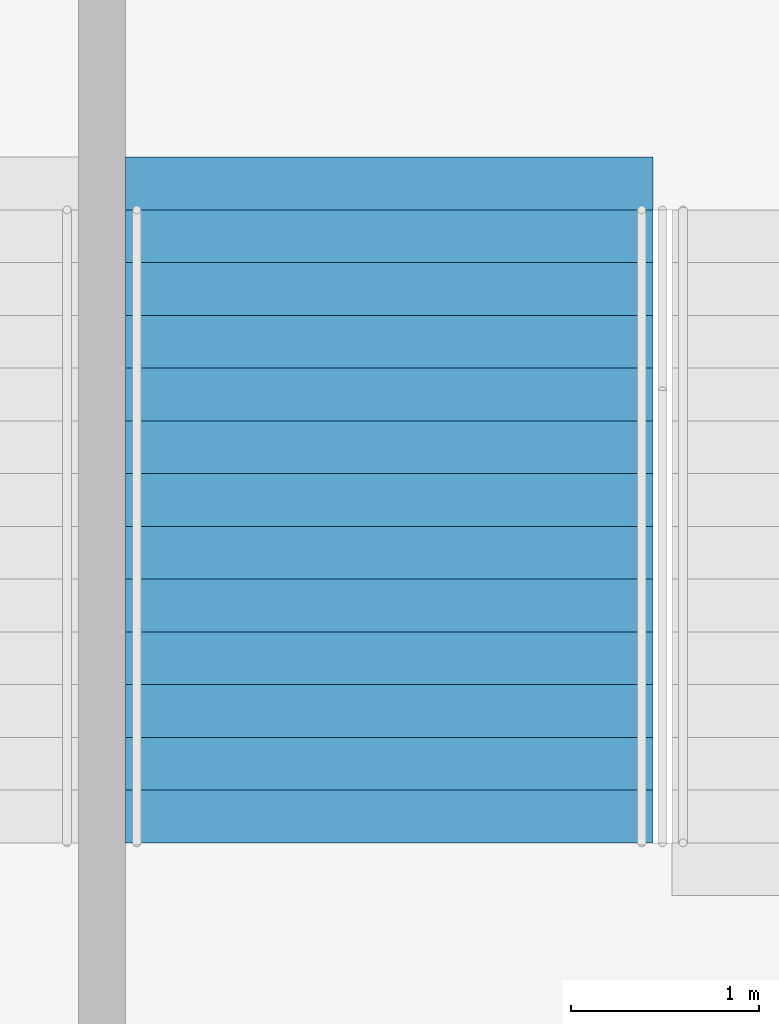
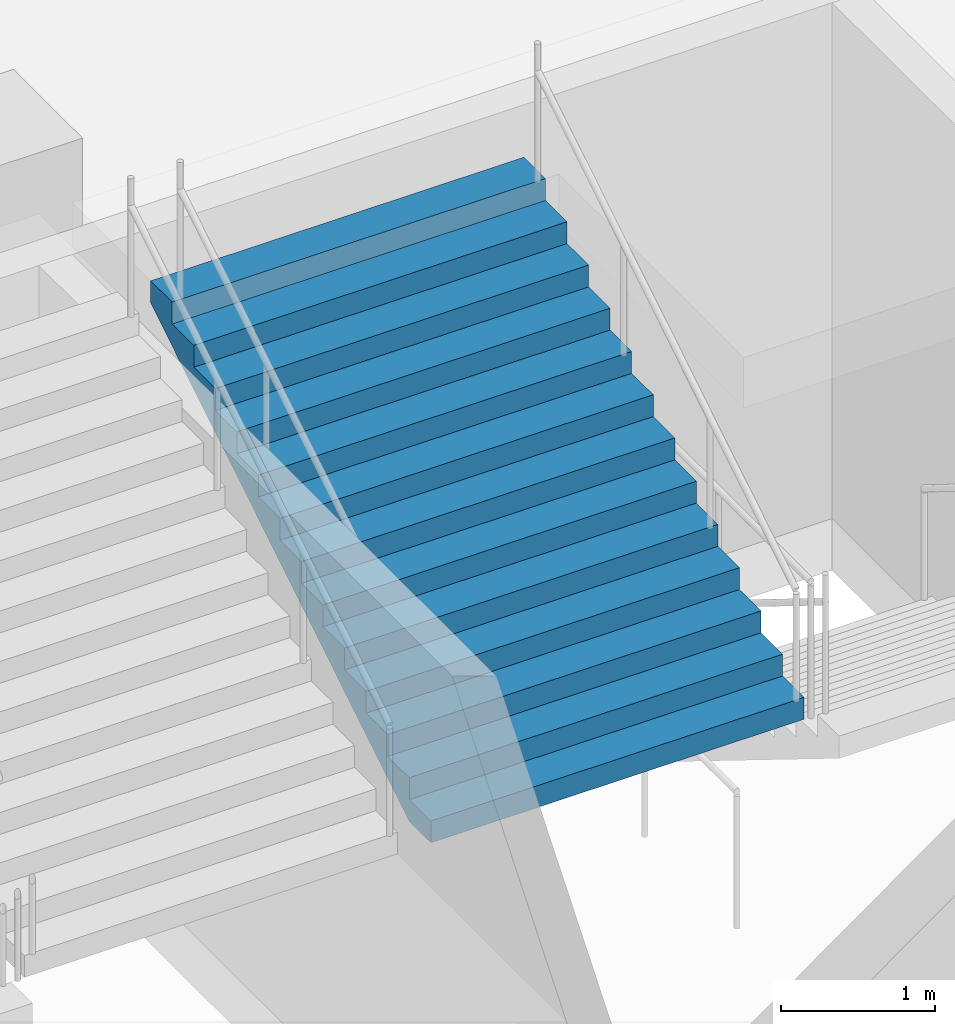
# One storey, part 153 of 249: 1 stair flight, 1 element without a shape of its own.
"""IFC4 building model written with IfcOpenShell, lengths in metres."""

from ifc_helpers import new_model, si_unit, direction, frame, origin, place, context, subcontext, project, spatial, faceted_brep, material, type_object, element, aggregate, save


model = new_model("IFC4")

# Units and contexts
model_context = context("Model", 3, precision=1e-05, world=origin(), true_north=direction((0.0, 1.0)))
body_context = subcontext(model_context, "Body", "Model", "MODEL_VIEW")
ifc_project = project(units=[si_unit("LENGTHUNIT", "METRE"), si_unit("AREAUNIT", "SQUARE_METRE"), si_unit("VOLUMEUNIT", "CUBIC_METRE"), si_unit("PLANEANGLEUNIT", "RADIAN"), si_unit("MASSUNIT", "GRAM", prefix="KILO")], contexts=[model_context])

# Site, building, storey
site_placement = place(None, origin())
site = spatial("IfcSite", under=ifc_project, at=site_placement, CompositionType="ELEMENT")
building_placement = place(site_placement, origin())
building = spatial("IfcBuilding", under=site, at=building_placement, Name="Ogive Plaza Stadium", CompositionType="ELEMENT")
storey_placement = place(building_placement, frame((0.0, 0.0, 13.5)))
storey = spatial("IfcBuildingStorey", under=building, at=storey_placement, Name="L03", CompositionType="ELEMENT", Elevation=13.5)

# Stair, stair flight
ifc_material_1 = material(Name="Concrete C40/50", Category="concrete")
stair_type = type_object("IfcStairType", Name="Exit stair", PredefinedType="STRAIGHT_RUN_STAIR", material=ifc_material_1)
stair_placement = place(storey_placement, origin())
stair = element("IfcStair", 1, at=stair_placement, inside=storey, type_object=stair_type, Name="Exit stair ST12B L03 to L04", PredefinedType="STRAIGHT_RUN_STAIR")
ifc_material_2 = material(Name="Concrete C40/50", Category="concrete")
stair_flight_type = type_object("IfcStairFlightType", Name="Exit stair flight", PredefinedType="STRAIGHT", material=ifc_material_2)
stair_flight_placement = place(storey_placement, frame((35.52490234375, -98.2099609375, 2.25), z_axis=(0.0, 0.0, 1.0), x_axis=(0.0, 1.0, 0.0)))
stair_flight = element("IfcStairFlight", 2, at=stair_flight_placement, type_object=stair_flight_type, Name="ST12B flight 2", NumberOfRisers=13, NumberOfTreads=12, PredefinedType="STRAIGHT", RiserHeight=0.173076923, TreadLength=0.28, context=body_context, shape_type="Brep", body=[
    faceted_brep([(0.28515625, -1.39990234375, 0.0), (3.639892578125, -1.39990234375, 2.07373046875), (3.639892578125, -1.39990234375, 2.25), (3.360107421875, -1.39990234375, 2.25), (3.360107421875, -1.39990234375, 2.076904296875), (3.080078125, -1.39990234375, 2.076904296875), (3.080078125, -1.39990234375, 1.90380859375), (2.800048828125, -1.39990234375, 1.90380859375), (2.800048828125, -1.39990234375, 1.730712890625), (2.52001953125, -1.39990234375, 1.730712890625), (2.52001953125, -1.39990234375, 1.5576171875), (2.239990234375, -1.39990234375, 1.5576171875), (2.239990234375, -1.39990234375, 1.384521484375), (1.9599609375, -1.39990234375, 1.384521484375), (1.9599609375, -1.39990234375, 1.21142578125), (1.679931640625, -1.39990234375, 1.21142578125), (1.679931640625, -1.39990234375, 1.03857421875), (1.39990234375, -1.39990234375, 1.03857421875), (1.39990234375, -1.39990234375, 0.865478515625), (1.1201171875, -1.39990234375, 0.865478515625), (1.1201171875, -1.39990234375, 0.6923828125), (0.840087890625, -1.39990234375, 0.6923828125), (0.840087890625, -1.39990234375, 0.519287109375), (0.56005859375, -1.39990234375, 0.519287109375), (0.56005859375, -1.39990234375, 0.34619140625), (0.280029296875, -1.39990234375, 0.34619140625), (0.280029296875, -1.39990234375, 0.173095703125), (0.0, -1.39990234375, 0.173095703125), (0.0, -1.39990234375, 0.0), (0.0, 1.39990234375, 0.0), (0.0, 1.39990234375, 0.173095703125), (0.280029296875, 1.39990234375, 0.173095703125), (0.280029296875, 1.39990234375, 0.34619140625), (0.56005859375, 1.39990234375, 0.34619140625), (0.56005859375, 1.39990234375, 0.519287109375), (0.840087890625, 1.39990234375, 0.519287109375), (0.840087890625, 1.39990234375, 0.6923828125), (1.1201171875, 1.39990234375, 0.6923828125), (1.1201171875, 1.39990234375, 0.865478515625), (1.39990234375, 1.39990234375, 0.865478515625), (1.39990234375, 1.39990234375, 1.03857421875), (1.679931640625, 1.39990234375, 1.03857421875), (1.679931640625, 1.39990234375, 1.21142578125), (1.9599609375, 1.39990234375, 1.21142578125), (1.9599609375, 1.39990234375, 1.384521484375), (2.239990234375, 1.39990234375, 1.384521484375), (2.239990234375, 1.39990234375, 1.5576171875), (2.52001953125, 1.39990234375, 1.5576171875), (2.52001953125, 1.39990234375, 1.730712890625), (2.800048828125, 1.39990234375, 1.730712890625), (2.800048828125, 1.39990234375, 1.90380859375), (3.080078125, 1.39990234375, 1.90380859375), (3.080078125, 1.39990234375, 2.076904296875), (3.360107421875, 1.39990234375, 2.076904296875), (3.360107421875, 1.39990234375, 2.25), (3.639892578125, 1.39990234375, 2.25), (3.639892578125, 1.39990234375, 2.07373046875), (0.28515625, 1.39990234375, 0.0), (0.28515625, -1.0888671875, 0.0), (3.639892578125, -1.0888671875, 2.07373046875), (0.28515625, -0.77783203125, 0.0), (3.639892578125, -0.77783203125, 2.07373046875), (0.28515625, -0.466796875, 0.0), (3.639892578125, -0.466796875, 2.07373046875), (0.28515625, -0.155517578125, 0.0), (3.639892578125, -0.155517578125, 2.07373046875), (0.28515625, 0.155517578125, 0.0), (3.639892578125, 0.155517578125, 2.07373046875), (0.28515625, 0.466796875, 0.0), (3.639892578125, 0.466796875, 2.07373046875), (0.28515625, 0.77783203125, 0.0), (3.639892578125, 0.77783203125, 2.07373046875), (0.28515625, 1.0888671875, 0.0), (3.639892578125, 1.0888671875, 2.07373046875), (3.639892578125, -1.0888671875, 2.25), (3.639892578125, -0.77783203125, 2.25), (3.639892578125, -0.466796875, 2.25), (3.639892578125, -0.155517578125, 2.25), (3.639892578125, 0.155517578125, 2.25), (3.639892578125, 0.466796875, 2.25), (3.639892578125, 0.77783203125, 2.25), (3.639892578125, 1.0888671875, 2.25), (3.360107421875, -1.0888671875, 2.25), (3.360107421875, -0.77783203125, 2.25), (3.360107421875, -0.466796875, 2.25), (3.360107421875, -0.155517578125, 2.25), (3.360107421875, 0.155517578125, 2.25), (3.360107421875, 0.466796875, 2.25), (3.360107421875, 0.77783203125, 2.25), (3.360107421875, 1.0888671875, 2.25), (3.360107421875, -1.0888671875, 2.076904296875), (3.360107421875, -0.77783203125, 2.076904296875), (3.360107421875, -0.466796875, 2.076904296875), (3.360107421875, -0.155517578125, 2.076904296875), (3.360107421875, 0.155517578125, 2.076904296875), (3.360107421875, 0.466796875, 2.076904296875), (3.360107421875, 0.77783203125, 2.076904296875), (3.360107421875, 1.0888671875, 2.076904296875), (3.080078125, -1.0888671875, 2.076904296875), (3.080078125, -0.77783203125, 2.076904296875), (3.080078125, -0.466796875, 2.076904296875), (3.080078125, -0.155517578125, 2.076904296875), (3.080078125, 0.155517578125, 2.076904296875), (3.080078125, 0.466796875, 2.076904296875), (3.080078125, 0.77783203125, 2.076904296875), (3.080078125, 1.0888671875, 2.076904296875), (3.080078125, -1.0888671875, 1.90380859375), (3.080078125, -0.77783203125, 1.90380859375), (3.080078125, -0.466796875, 1.90380859375), (3.080078125, -0.155517578125, 1.90380859375), (3.080078125, 0.155517578125, 1.90380859375), (3.080078125, 0.466796875, 1.90380859375), (3.080078125, 0.77783203125, 1.90380859375), (3.080078125, 1.0888671875, 1.90380859375), (2.800048828125, -1.0888671875, 1.90380859375), (2.800048828125, -0.77783203125, 1.90380859375), (2.800048828125, -0.466796875, 1.90380859375), (2.800048828125, -0.155517578125, 1.90380859375), (2.800048828125, 0.155517578125, 1.90380859375), (2.800048828125, 0.466796875, 1.90380859375), (2.800048828125, 0.77783203125, 1.90380859375), (2.800048828125, 1.0888671875, 1.90380859375), (2.800048828125, -1.0888671875, 1.730712890625), (2.800048828125, -0.77783203125, 1.730712890625), (2.800048828125, -0.466796875, 1.730712890625), (2.800048828125, -0.155517578125, 1.730712890625), (2.800048828125, 0.155517578125, 1.730712890625), (2.800048828125, 0.466796875, 1.730712890625), (2.800048828125, 0.77783203125, 1.730712890625), (2.800048828125, 1.0888671875, 1.730712890625), (2.52001953125, -1.0888671875, 1.730712890625), (2.52001953125, -0.77783203125, 1.730712890625), (2.52001953125, -0.466796875, 1.730712890625), (2.52001953125, -0.155517578125, 1.730712890625), (2.52001953125, 0.155517578125, 1.730712890625), (2.52001953125, 0.466796875, 1.730712890625), (2.52001953125, 0.77783203125, 1.730712890625), (2.52001953125, 1.0888671875, 1.730712890625), (2.52001953125, -1.0888671875, 1.5576171875), (2.52001953125, -0.77783203125, 1.5576171875), (2.52001953125, -0.466796875, 1.5576171875), (2.52001953125, -0.155517578125, 1.5576171875), (2.52001953125, 0.155517578125, 1.5576171875), (2.52001953125, 0.466796875, 1.5576171875), (2.52001953125, 0.77783203125, 1.5576171875), (2.52001953125, 1.0888671875, 1.5576171875), (2.239990234375, -1.0888671875, 1.5576171875), (2.239990234375, -0.77783203125, 1.5576171875), (2.239990234375, -0.466796875, 1.5576171875), (2.239990234375, -0.155517578125, 1.5576171875), (2.239990234375, 0.155517578125, 1.5576171875), (2.239990234375, 0.466796875, 1.5576171875), (2.239990234375, 0.77783203125, 1.5576171875), (2.239990234375, 1.0888671875, 1.5576171875), (2.239990234375, -1.0888671875, 1.384521484375), (2.239990234375, -0.77783203125, 1.384521484375), (2.239990234375, -0.466796875, 1.384521484375), (2.239990234375, -0.155517578125, 1.384521484375), (2.239990234375, 0.155517578125, 1.384521484375), (2.239990234375, 0.466796875, 1.384521484375), (2.239990234375, 0.77783203125, 1.384521484375), (2.239990234375, 1.0888671875, 1.384521484375), (1.9599609375, -1.0888671875, 1.384521484375), (1.9599609375, -0.77783203125, 1.384521484375), (1.9599609375, -0.466796875, 1.384521484375), (1.9599609375, -0.155517578125, 1.384521484375), (1.9599609375, 0.155517578125, 1.384521484375), (1.9599609375, 0.466796875, 1.384521484375), (1.9599609375, 0.77783203125, 1.384521484375), (1.9599609375, 1.0888671875, 1.384521484375), (1.9599609375, -1.0888671875, 1.21142578125), (1.9599609375, -0.77783203125, 1.21142578125), (1.9599609375, -0.466796875, 1.21142578125), (1.9599609375, -0.155517578125, 1.21142578125), (1.9599609375, 0.155517578125, 1.21142578125), (1.9599609375, 0.466796875, 1.21142578125), (1.9599609375, 0.77783203125, 1.21142578125), (1.9599609375, 1.0888671875, 1.21142578125), (1.679931640625, -1.0888671875, 1.21142578125), (1.679931640625, -0.77783203125, 1.21142578125), (1.679931640625, -0.466796875, 1.21142578125), (1.679931640625, -0.155517578125, 1.21142578125), (1.679931640625, 0.155517578125, 1.21142578125), (1.679931640625, 0.466796875, 1.21142578125), (1.679931640625, 0.77783203125, 1.21142578125), (1.679931640625, 1.0888671875, 1.21142578125), (1.679931640625, -1.0888671875, 1.03857421875), (1.679931640625, -0.77783203125, 1.03857421875), (1.679931640625, -0.466796875, 1.03857421875), (1.679931640625, -0.155517578125, 1.03857421875), (1.679931640625, 0.155517578125, 1.03857421875), (1.679931640625, 0.466796875, 1.03857421875), (1.679931640625, 0.77783203125, 1.03857421875), (1.679931640625, 1.0888671875, 1.03857421875), (1.39990234375, -1.0888671875, 1.03857421875), (1.39990234375, -0.77783203125, 1.03857421875), (1.39990234375, -0.466796875, 1.03857421875), (1.39990234375, -0.155517578125, 1.03857421875), (1.39990234375, 0.155517578125, 1.03857421875), (1.39990234375, 0.466796875, 1.03857421875), (1.39990234375, 0.77783203125, 1.03857421875), (1.39990234375, 1.0888671875, 1.03857421875), (1.39990234375, -1.0888671875, 0.865478515625), (1.39990234375, -0.77783203125, 0.865478515625), (1.39990234375, -0.466796875, 0.865478515625), (1.39990234375, -0.155517578125, 0.865478515625), (1.39990234375, 0.155517578125, 0.865478515625), (1.39990234375, 0.466796875, 0.865478515625), (1.39990234375, 0.77783203125, 0.865478515625), (1.39990234375, 1.0888671875, 0.865478515625), (1.1201171875, -1.0888671875, 0.865478515625), (1.1201171875, -0.77783203125, 0.865478515625), (1.1201171875, -0.466796875, 0.865478515625), (1.1201171875, -0.155517578125, 0.865478515625), (1.1201171875, 0.155517578125, 0.865478515625), (1.1201171875, 0.466796875, 0.865478515625), (1.1201171875, 0.77783203125, 0.865478515625), (1.1201171875, 1.0888671875, 0.865478515625), (1.1201171875, -1.0888671875, 0.6923828125), (1.1201171875, -0.77783203125, 0.6923828125), (1.1201171875, -0.466796875, 0.6923828125), (1.1201171875, -0.155517578125, 0.6923828125), (1.1201171875, 0.155517578125, 0.6923828125), (1.1201171875, 0.466796875, 0.6923828125), (1.1201171875, 0.77783203125, 0.6923828125), (1.1201171875, 1.0888671875, 0.6923828125), (0.840087890625, -1.0888671875, 0.6923828125), (0.840087890625, -0.77783203125, 0.6923828125), (0.840087890625, -0.466796875, 0.6923828125), (0.840087890625, -0.155517578125, 0.6923828125), (0.840087890625, 0.155517578125, 0.6923828125), (0.840087890625, 0.466796875, 0.6923828125), (0.840087890625, 0.77783203125, 0.6923828125), (0.840087890625, 1.0888671875, 0.6923828125), (0.840087890625, -1.0888671875, 0.519287109375), (0.840087890625, -0.77783203125, 0.519287109375), (0.840087890625, -0.466796875, 0.519287109375), (0.840087890625, -0.155517578125, 0.519287109375), (0.840087890625, 0.155517578125, 0.519287109375), (0.840087890625, 0.466796875, 0.519287109375), (0.840087890625, 0.77783203125, 0.519287109375), (0.840087890625, 1.0888671875, 0.519287109375), (0.56005859375, -1.0888671875, 0.519287109375), (0.56005859375, -0.77783203125, 0.519287109375), (0.56005859375, -0.466796875, 0.519287109375), (0.56005859375, -0.155517578125, 0.519287109375), (0.56005859375, 0.155517578125, 0.519287109375), (0.56005859375, 0.466796875, 0.519287109375), (0.56005859375, 0.77783203125, 0.519287109375), (0.56005859375, 1.0888671875, 0.519287109375), (0.56005859375, -1.0888671875, 0.34619140625), (0.56005859375, -0.77783203125, 0.34619140625), (0.56005859375, -0.466796875, 0.34619140625), (0.56005859375, -0.155517578125, 0.34619140625), (0.56005859375, 0.155517578125, 0.34619140625), (0.56005859375, 0.466796875, 0.34619140625), (0.56005859375, 0.77783203125, 0.34619140625), (0.56005859375, 1.0888671875, 0.34619140625), (0.280029296875, -1.0888671875, 0.34619140625), (0.280029296875, -0.77783203125, 0.34619140625), (0.280029296875, -0.466796875, 0.34619140625), (0.280029296875, -0.155517578125, 0.34619140625), (0.280029296875, 0.155517578125, 0.34619140625), (0.280029296875, 0.466796875, 0.34619140625), (0.280029296875, 0.77783203125, 0.34619140625), (0.280029296875, 1.0888671875, 0.34619140625), (0.280029296875, -1.0888671875, 0.173095703125), (0.280029296875, -0.77783203125, 0.173095703125), (0.280029296875, -0.466796875, 0.173095703125), (0.280029296875, -0.155517578125, 0.173095703125), (0.280029296875, 0.155517578125, 0.173095703125), (0.280029296875, 0.466796875, 0.173095703125), (0.280029296875, 0.77783203125, 0.173095703125), (0.280029296875, 1.0888671875, 0.173095703125), (0.0, -1.0888671875, 0.173095703125), (0.0, -0.77783203125, 0.173095703125), (0.0, -0.466796875, 0.173095703125), (0.0, -0.155517578125, 0.173095703125), (0.0, 0.155517578125, 0.173095703125), (0.0, 0.466796875, 0.173095703125), (0.0, 0.77783203125, 0.173095703125), (0.0, 1.0888671875, 0.173095703125), (0.0, -1.0888671875, 0.0), (0.0, -0.77783203125, 0.0), (0.0, -0.466796875, 0.0), (0.0, -0.155517578125, 0.0), (0.0, 0.155517578125, 0.0), (0.0, 0.466796875, 0.0), (0.0, 0.77783203125, 0.0), (0.0, 1.0888671875, 0.0)], [[[0, 1, 2, 3, 4, 5, 6, 7, 8, 9, 10, 11, 12, 13, 14, 15, 16, 17, 18, 19, 20, 21, 22, 23, 24, 25, 26, 27, 28]], [[29, 30, 31, 32, 33, 34, 35, 36, 37, 38, 39, 40, 41, 42, 43, 44, 45, 46, 47, 48, 49, 50, 51, 52, 53, 54, 55, 56, 57]], [[0, 58, 59, 1]], [[58, 60, 61, 59]], [[60, 62, 63, 61]], [[62, 64, 65, 63]], [[64, 66, 67, 65]], [[66, 68, 69, 67]], [[68, 70, 71, 69]], [[70, 72, 73, 71]], [[72, 57, 56, 73]], [[1, 59, 74, 2]], [[59, 61, 75, 74]], [[61, 63, 76, 75]], [[63, 65, 77, 76]], [[65, 67, 78, 77]], [[67, 69, 79, 78]], [[69, 71, 80, 79]], [[71, 73, 81, 80]], [[73, 56, 55, 81]], [[2, 74, 82, 3]], [[74, 75, 83, 82]], [[75, 76, 84, 83]], [[76, 77, 85, 84]], [[77, 78, 86, 85]], [[78, 79, 87, 86]], [[79, 80, 88, 87]], [[80, 81, 89, 88]], [[81, 55, 54, 89]], [[3, 82, 90, 4]], [[82, 83, 91, 90]], [[83, 84, 92, 91]], [[84, 85, 93, 92]], [[85, 86, 94, 93]], [[86, 87, 95, 94]], [[87, 88, 96, 95]], [[88, 89, 97, 96]], [[89, 54, 53, 97]], [[4, 90, 98, 5]], [[90, 91, 99, 98]], [[91, 92, 100, 99]], [[92, 93, 101, 100]], [[93, 94, 102, 101]], [[94, 95, 103, 102]], [[95, 96, 104, 103]], [[96, 97, 105, 104]], [[97, 53, 52, 105]], [[5, 98, 106, 6]], [[98, 99, 107, 106]], [[99, 100, 108, 107]], [[100, 101, 109, 108]], [[101, 102, 110, 109]], [[102, 103, 111, 110]], [[103, 104, 112, 111]], [[104, 105, 113, 112]], [[105, 52, 51, 113]], [[6, 106, 114, 7]], [[106, 107, 115, 114]], [[107, 108, 116, 115]], [[108, 109, 117, 116]], [[109, 110, 118, 117]], [[110, 111, 119, 118]], [[111, 112, 120, 119]], [[112, 113, 121, 120]], [[113, 51, 50, 121]], [[7, 114, 122, 8]], [[114, 115, 123, 122]], [[115, 116, 124, 123]], [[116, 117, 125, 124]], [[117, 118, 126, 125]], [[118, 119, 127, 126]], [[119, 120, 128, 127]], [[120, 121, 129, 128]], [[121, 50, 49, 129]], [[8, 122, 130, 9]], [[122, 123, 131, 130]], [[123, 124, 132, 131]], [[124, 125, 133, 132]], [[125, 126, 134, 133]], [[126, 127, 135, 134]], [[127, 128, 136, 135]], [[128, 129, 137, 136]], [[129, 49, 48, 137]], [[9, 130, 138, 10]], [[130, 131, 139, 138]], [[131, 132, 140, 139]], [[132, 133, 141, 140]], [[133, 134, 142, 141]], [[134, 135, 143, 142]], [[135, 136, 144, 143]], [[136, 137, 145, 144]], [[137, 48, 47, 145]], [[10, 138, 146, 11]], [[138, 139, 147, 146]], [[139, 140, 148, 147]], [[140, 141, 149, 148]], [[141, 142, 150, 149]], [[142, 143, 151, 150]], [[143, 144, 152, 151]], [[144, 145, 153, 152]], [[145, 47, 46, 153]], [[11, 146, 154, 12]], [[146, 147, 155, 154]], [[147, 148, 156, 155]], [[148, 149, 157, 156]], [[149, 150, 158, 157]], [[150, 151, 159, 158]], [[151, 152, 160, 159]], [[152, 153, 161, 160]], [[153, 46, 45, 161]], [[12, 154, 162, 13]], [[154, 155, 163, 162]], [[155, 156, 164, 163]], [[156, 157, 165, 164]], [[157, 158, 166, 165]], [[158, 159, 167, 166]], [[159, 160, 168, 167]], [[160, 161, 169, 168]], [[161, 45, 44, 169]], [[13, 162, 170, 14]], [[162, 163, 171, 170]], [[163, 164, 172, 171]], [[164, 165, 173, 172]], [[165, 166, 174, 173]], [[166, 167, 175, 174]], [[167, 168, 176, 175]], [[168, 169, 177, 176]], [[169, 44, 43, 177]], [[14, 170, 178, 15]], [[170, 171, 179, 178]], [[171, 172, 180, 179]], [[172, 173, 181, 180]], [[173, 174, 182, 181]], [[174, 175, 183, 182]], [[175, 176, 184, 183]], [[176, 177, 185, 184]], [[177, 43, 42, 185]], [[15, 178, 186, 16]], [[178, 179, 187, 186]], [[179, 180, 188, 187]], [[180, 181, 189, 188]], [[181, 182, 190, 189]], [[182, 183, 191, 190]], [[183, 184, 192, 191]], [[184, 185, 193, 192]], [[185, 42, 41, 193]], [[16, 186, 194, 17]], [[186, 187, 195, 194]], [[187, 188, 196, 195]], [[188, 189, 197, 196]], [[189, 190, 198, 197]], [[190, 191, 199, 198]], [[191, 192, 200, 199]], [[192, 193, 201, 200]], [[193, 41, 40, 201]], [[17, 194, 202, 18]], [[194, 195, 203, 202]], [[195, 196, 204, 203]], [[196, 197, 205, 204]], [[197, 198, 206, 205]], [[198, 199, 207, 206]], [[199, 200, 208, 207]], [[200, 201, 209, 208]], [[201, 40, 39, 209]], [[18, 202, 210, 19]], [[202, 203, 211, 210]], [[203, 204, 212, 211]], [[204, 205, 213, 212]], [[205, 206, 214, 213]], [[206, 207, 215, 214]], [[207, 208, 216, 215]], [[208, 209, 217, 216]], [[209, 39, 38, 217]], [[19, 210, 218, 20]], [[210, 211, 219, 218]], [[211, 212, 220, 219]], [[212, 213, 221, 220]], [[213, 214, 222, 221]], [[214, 215, 223, 222]], [[215, 216, 224, 223]], [[216, 217, 225, 224]], [[217, 38, 37, 225]], [[20, 218, 226, 21]], [[218, 219, 227, 226]], [[219, 220, 228, 227]], [[220, 221, 229, 228]], [[221, 222, 230, 229]], [[222, 223, 231, 230]], [[223, 224, 232, 231]], [[224, 225, 233, 232]], [[225, 37, 36, 233]], [[21, 226, 234, 22]], [[226, 227, 235, 234]], [[227, 228, 236, 235]], [[228, 229, 237, 236]], [[229, 230, 238, 237]], [[230, 231, 239, 238]], [[231, 232, 240, 239]], [[232, 233, 241, 240]], [[233, 36, 35, 241]], [[22, 234, 242, 23]], [[234, 235, 243, 242]], [[235, 236, 244, 243]], [[236, 237, 245, 244]], [[237, 238, 246, 245]], [[238, 239, 247, 246]], [[239, 240, 248, 247]], [[240, 241, 249, 248]], [[241, 35, 34, 249]], [[23, 242, 250, 24]], [[242, 243, 251, 250]], [[243, 244, 252, 251]], [[244, 245, 253, 252]], [[245, 246, 254, 253]], [[246, 247, 255, 254]], [[247, 248, 256, 255]], [[248, 249, 257, 256]], [[249, 34, 33, 257]], [[24, 250, 258, 25]], [[250, 251, 259, 258]], [[251, 252, 260, 259]], [[252, 253, 261, 260]], [[253, 254, 262, 261]], [[254, 255, 263, 262]], [[255, 256, 264, 263]], [[256, 257, 265, 264]], [[257, 33, 32, 265]], [[25, 258, 266, 26]], [[258, 259, 267, 266]], [[259, 260, 268, 267]], [[260, 261, 269, 268]], [[261, 262, 270, 269]], [[262, 263, 271, 270]], [[263, 264, 272, 271]], [[264, 265, 273, 272]], [[265, 32, 31, 273]], [[26, 266, 274, 27]], [[266, 267, 275, 274]], [[267, 268, 276, 275]], [[268, 269, 277, 276]], [[269, 270, 278, 277]], [[270, 271, 279, 278]], [[271, 272, 280, 279]], [[272, 273, 281, 280]], [[273, 31, 30, 281]], [[27, 274, 282, 28]], [[274, 275, 283, 282]], [[275, 276, 284, 283]], [[276, 277, 285, 284]], [[277, 278, 286, 285]], [[278, 279, 287, 286]], [[279, 280, 288, 287]], [[280, 281, 289, 288]], [[281, 30, 29, 289]], [[28, 282, 58, 0]], [[282, 283, 60, 58]], [[283, 284, 62, 60]], [[284, 285, 64, 62]], [[285, 286, 66, 64]], [[286, 287, 68, 66]], [[287, 288, 70, 68]], [[288, 289, 72, 70]], [[289, 29, 57, 72]]]),
])
aggregate(stair, [stair_flight])

save(model, "model.ifc")
